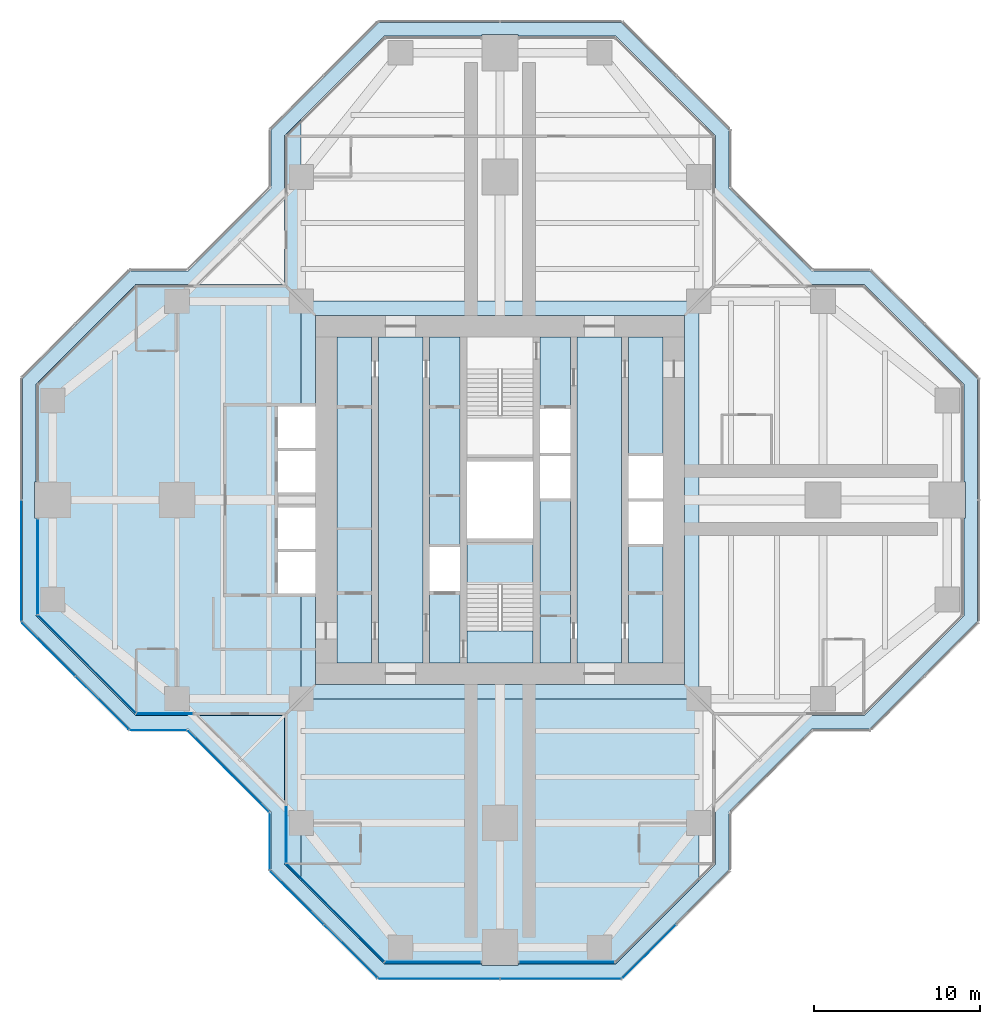
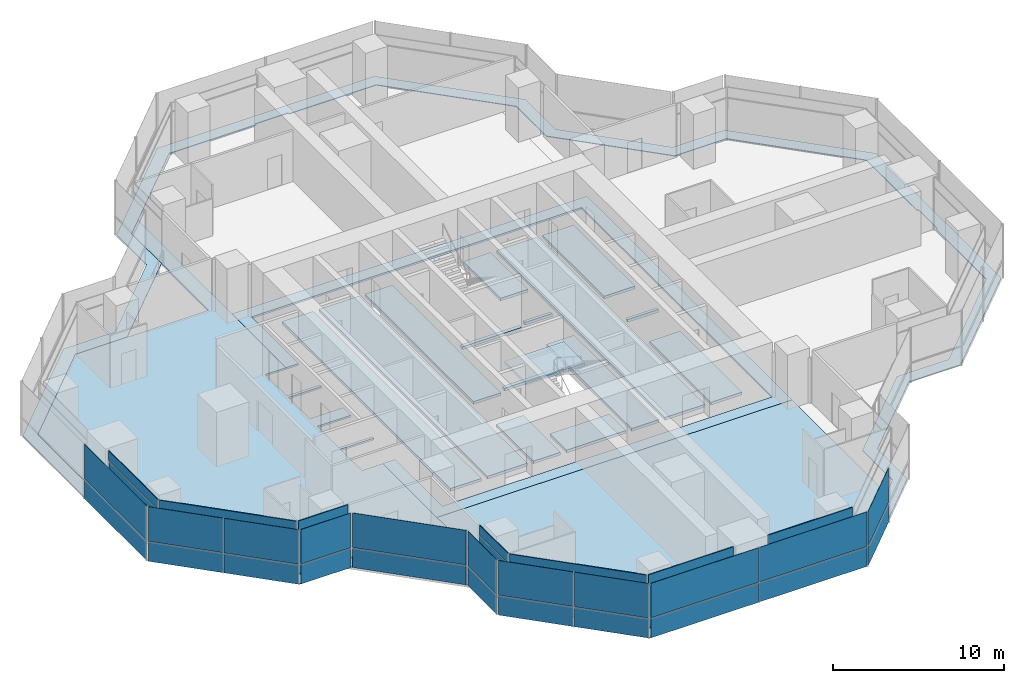
# One storey, part 10 of 17: 37 plates, 7 slabs, 16 elements without a shape of their own.
"""IFC4 building model written with IfcOpenShell, lengths in metres."""

from ifc_helpers import new_model, si_unit, direction, frame, origin, origin_2d, place, context, subcontext, project, spatial, polyline, rectangle, outline, extrude, material, layer, layer_set, type_object, element, aggregate, save


model = new_model("IFC4")

# Units and contexts
model_context = context("Model", 3, precision=1e-05, world=origin(), true_north=direction((0.0, 1.0)))
body_context = subcontext(model_context, "Body", "Model", "MODEL_VIEW")
ifc_project = project(units=[si_unit("LENGTHUNIT", "METRE"), si_unit("AREAUNIT", "SQUARE_METRE"), si_unit("VOLUMEUNIT", "CUBIC_METRE"), si_unit("PLANEANGLEUNIT", "RADIAN"), si_unit("MASSUNIT", "GRAM", prefix="KILO")], contexts=[model_context])

# Site, building, storey
site_placement = place(None, origin())
site = spatial("IfcSite", under=ifc_project, at=site_placement, CompositionType="ELEMENT")
building_placement = place(site_placement, origin())
building = spatial("IfcBuilding", under=site, at=building_placement, Name="Mizan Broadcast Tower", CompositionType="ELEMENT")
storey_placement = place(building_placement, frame((0.0, 0.0, 263.39990234375)))
storey = spatial("IfcBuildingStorey", under=building, at=storey_placement, Name="L62", CompositionType="ELEMENT", Elevation=263.39990234375)

# Plate
ifc_material_1 = material(Name="Aluminium grating", Category="aluminium")
ifc_layer_1 = layer(ifc_material_1, 0.050048828125)
ifc_layer_set_1 = layer_set([ifc_layer_1], Name="Aluminium grating")
plate_type_1 = type_object("IfcPlateType", Name="CAVITY GRATING", PredefinedType="USERDEFINED", material=ifc_layer_set_1)
plate_1_placement = place(storey_placement, frame((0.0, 0.0, -0.0498046875)))
element("IfcPlate", 1, at=plate_1_placement, inside=storey, type_object=plate_type_1, Name="Cavity grating L62", ObjectType="GRATING", PredefinedType="USERDEFINED", context=body_context, shape_type="SweptSolid", body=[
    extrude(outline(polyline([(13.820068359375, -18.839599609375), (18.839599609375, -13.820068359375), (22.339599609375, -13.820068359375), (28.820068359375, -7.339599609375), (28.820068359375, 7.339599609375), (22.339599609375, 13.820068359375), (18.839599609375, 13.820068359375), (13.820068359375, 18.839599609375), (13.820068359375, 22.339599609375), (7.339599609375, 28.820068359375), (-7.339599609375, 28.820068359375), (-13.820068359375, 22.339599609375), (-13.820068359375, 18.839599609375), (-18.839599609375, 13.820068359375), (-22.339599609375, 13.820068359375), (-28.820068359375, 7.339599609375), (-28.820068359375, -7.339599609375), (-22.339599609375, -13.820068359375), (-18.839599609375, -13.820068359375), (-13.820068359375, -18.839599609375), (-13.820068359375, -22.339599609375), (-7.339599609375, -28.820068359375), (7.339599609375, -28.820068359375), (13.820068359375, -22.339599609375), (13.820068359375, -18.839599609375)]), holes=[polyline([(28.0, -1.10009765625), (28.0, -7.0), (22.0, -13.0), (18.5, -13.0), (13.0, -18.5), (13.0, -22.0), (7.0, -28.0), (1.10009765625, -28.0), (1.10009765625, -28.10009765625), (-1.10009765625, -28.10009765625), (-1.10009765625, -28.0), (-7.0, -28.0), (-13.0, -22.0), (-13.0, -18.5), (-18.5, -13.0), (-22.0, -13.0), (-28.0, -7.0), (-28.0, -1.10009765625), (-28.10009765625, -1.10009765625), (-28.10009765625, 1.10009765625), (-28.0, 1.10009765625), (-28.0, 7.0), (-22.0, 13.0), (-18.5, 13.0), (-13.0, 18.5), (-13.0, 22.0), (-7.0, 28.0), (-1.10009765625, 28.0), (-1.10009765625, 28.10009765625), (1.10009765625, 28.10009765625), (1.10009765625, 28.0), (7.0, 28.0), (13.0, 22.0), (13.0, 18.5), (18.5, 13.0), (22.0, 13.0), (28.0, 7.0), (28.0, 1.10009765625), (28.10009765625, 1.10009765625), (28.10009765625, -1.10009765625), (28.0, -1.10009765625)])]), origin(), (0.0, 0.0, 1.0), 0.0498046875),
])

# Slabs
ifc_material_2 = material(Name="Concrete C32/40", Category="concrete")
ifc_layer_2 = layer(ifc_material_2, 0.1298828125)
ifc_layer_set_2 = layer_set([ifc_layer_2], Name="Concrete C32/40")
slab_type_1 = type_object("IfcSlabType", Name="COMPOSITE DECK SLAB 130", PredefinedType="FLOOR", material=ifc_layer_set_2)
slab_1_placement = place(storey_placement, frame((0.0, 0.0, -0.1298828125)))
element("IfcSlab", 2, at=slab_1_placement, inside=storey, type_object=slab_type_1, Name="Floor slab L62 centre", PredefinedType="FLOOR", context=body_context, shape_type="SweptSolid", body=[
    extrude(outline(polyline([(-11.14990234375, -5.64990234375), (-12.0, -5.64990234375), (-12.0, -12.0), (12.0, -12.0), (12.0, 12.0), (-12.0, 12.0), (-12.0, 5.64990234375), (-11.14990234375, 5.64990234375), (-11.14990234375, 11.14990234375), (11.14990234375, 11.14990234375), (11.14990234375, -11.14990234375), (-11.14990234375, -11.14990234375), (-11.14990234375, -5.64990234375)])), origin(), (0.0, 0.0, 1.0), 0.1298828125),
])
slab_2_placement = place(storey_placement, frame((0.0, 0.0, -0.1298828125)))
element("IfcSlab", 3, at=slab_2_placement, inside=storey, type_object=slab_type_1, Name="Floor slab L62 west arm", PredefinedType="FLOOR", context=body_context, shape_type="SweptSolid", body=[
    extrude(outline(polyline([(-22.0, 13.0), (-28.0, 7.0), (-28.0, -7.0), (-22.0, -13.0), (-13.0, -13.0), (-13.0, -22.0), (-12.0, -23.0), (-12.0, -5.64990234375), (-13.39990234375, -5.64990234375), (-13.39990234375, -3.14990234375), (-11.14990234375, -3.14990234375), (-11.14990234375, -2.949951171875), (-13.39990234375, -2.949951171875), (-13.39990234375, -0.449951171875), (-11.14990234375, -0.449951171875), (-11.14990234375, 0.449951171875), (-13.39990234375, 0.449951171875), (-13.39990234375, 2.949951171875), (-11.14990234375, 2.949951171875), (-11.14990234375, 3.14990234375), (-13.39990234375, 3.14990234375), (-13.39990234375, 5.64990234375), (-12.0, 5.64990234375), (-12.0, 23.0), (-13.0, 22.0), (-13.0, 13.0), (-22.0, 13.0)])), origin(), (0.0, 0.0, 1.0), 0.1298828125),
])
slab_3_placement = place(storey_placement, frame((0.0, 0.0, -0.1298828125)))
element("IfcSlab", 4, at=slab_3_placement, inside=storey, type_object=slab_type_1, Name="Floor slab L62 south arm", PredefinedType="FLOOR", context=body_context, shape_type="SweptSolid", body=[
    extrude(outline(polyline([(7.0, -28.0), (12.0, -23.0), (12.0, -12.0), (-12.0, -12.0), (-12.0, -23.0), (-7.0, -28.0), (7.0, -28.0)])), origin(), (0.0, 0.0, 1.0), 0.1298828125),
])
ifc_material_3 = material(Name="Concrete C40/50", Category="concrete")
ifc_layer_3 = layer(ifc_material_3, 0.199951171875)
ifc_layer_set_3 = layer_set([ifc_layer_3], Name="Concrete C40/50")
slab_type_2 = type_object("IfcSlabType", Name="CORE FLOOR 200", PredefinedType="FLOOR", material=ifc_layer_set_3)
slab_4_placement = place(storey_placement, frame((0.0, 0.0, -0.199951171875)))
element("IfcSlab", 5, at=slab_4_placement, inside=storey, type_object=slab_type_2, Name="Core floor L62", PredefinedType="FLOOR", context=body_context, shape_type="SweptSolid", body=[
    extrude(outline(polyline([(-9.85009765625, -9.85009765625), (-7.75, -9.85009765625), (-7.75, 9.85009765625), (-9.85009765625, 9.85009765625), (-9.85009765625, -9.85009765625)])), origin(), (0.0, 0.0, 1.0), 0.199951171875),
    extrude(outline(polyline([(-4.64990234375, 9.85009765625), (-7.35009765625, 9.85009765625), (-7.35009765625, -9.85009765625), (-4.64990234375, -9.85009765625), (-4.64990234375, 9.85009765625)])), origin(), (0.0, 0.0, 1.0), 0.199951171875),
    extrude(outline(polyline([(-4.25, -5.5), (-4.25, -9.85009765625), (-2.39990234375, -9.85009765625), (-2.39990234375, -5.5), (-4.25, -5.5)])), origin(), (0.0, 0.0, 1.0), 0.199951171875),
    extrude(outline(polyline([(-4.25, -2.85009765625), (-2.39990234375, -2.85009765625), (-2.39990234375, 9.85009765625), (-4.25, 9.85009765625), (-4.25, -2.85009765625)])), origin(), (0.0, 0.0, 1.0), 0.199951171875),
    extrude(outline(polyline([(2.0, -2.324951171875), (-2.0, -2.324951171875), (-2.0, -2.574951171875), (2.0, -2.574951171875), (2.0, -2.324951171875)])), origin(), (0.0, 0.0, 1.0), 0.199951171875),
    extrude(outline(polyline([(2.0, 2.574951171875), (-2.0, 2.574951171875), (-2.0, 2.324951171875), (2.0, 2.324951171875), (2.0, 2.574951171875)])), origin(), (0.0, 0.0, 1.0), 0.199951171875),
    extrude(outline(polyline([(4.25, -9.85009765625), (4.25, 0.10009765625), (2.39990234375, 0.10009765625), (2.39990234375, -9.85009765625), (4.25, -9.85009765625)])), origin(), (0.0, 0.0, 1.0), 0.199951171875),
    extrude(outline(polyline([(4.25, 2.64990234375), (4.25, 2.85009765625), (2.39990234375, 2.85009765625), (2.39990234375, 2.64990234375), (4.25, 2.64990234375)])), origin(), (0.0, 0.0, 1.0), 0.199951171875),
    extrude(outline(polyline([(4.25, 5.5), (4.25, 9.85009765625), (2.39990234375, 9.85009765625), (2.39990234375, 5.5), (4.25, 5.5)])), origin(), (0.0, 0.0, 1.0), 0.199951171875),
    extrude(outline(polyline([(4.64990234375, 9.85009765625), (4.64990234375, -9.85009765625), (7.35009765625, -9.85009765625), (7.35009765625, 9.85009765625), (4.64990234375, 9.85009765625)])), origin(), (0.0, 0.0, 1.0), 0.199951171875),
    extrude(outline(polyline([(9.85009765625, -9.85009765625), (9.85009765625, -2.64990234375), (7.75, -2.64990234375), (7.75, -9.85009765625), (9.85009765625, -9.85009765625)])), origin(), (0.0, 0.0, 1.0), 0.199951171875),
    extrude(outline(polyline([(9.85009765625, -0.10009765625), (9.85009765625, 0.10009765625), (7.75, 0.10009765625), (7.75, -0.10009765625), (9.85009765625, -0.10009765625)])), origin(), (0.0, 0.0, 1.0), 0.199951171875),
    extrude(outline(polyline([(7.75, 9.85009765625), (7.75, 2.64990234375), (9.85009765625, 2.64990234375), (9.85009765625, 9.85009765625), (7.75, 9.85009765625)])), origin(), (0.0, 0.0, 1.0), 0.199951171875),
])

# Curtain wall, plate
ifc_material_4 = material(Name="Aluminium framed glazing", Category="aluminium")
curtain_wall_type_1 = type_object("IfcCurtainWallType", Name="INNER SKIN HIGH ZONE", PredefinedType="USERDEFINED", material=ifc_material_4)
curtain_wall_1_placement = place(storey_placement, origin())
curtain_wall_1 = element("IfcCurtainWall", 6, at=curtain_wall_1_placement, inside=storey, type_object=curtain_wall_type_1, Name="Inner skin high zone L62 W end", ObjectType="INNER SKIN HIGH ZONE", PredefinedType="USERDEFINED")
ifc_material_5 = material(Name="Double glazing, clear low-e", Category="glass")
ifc_layer_4 = layer(ifc_material_5, 0.028076171875)
ifc_layer_set_4 = layer_set([ifc_layer_4], Name="Double glazing, clear low-e")
plate_type_2 = type_object("IfcPlateType", Name="INNER SKIN GLAZING UNIT", PredefinedType="CURTAIN_PANEL", material=ifc_layer_set_4)
plate_2_placement = place(storey_placement, frame((-27.89990234375, -4.029296875, 0.0), z_axis=(0.0, 0.0, 1.0), x_axis=(0.0, -1.0, 0.0)))
plate_2 = element("IfcPlate", 7, at=plate_2_placement, type_object=plate_type_2, Name="Inner skin high zone L62 W end panel 1.1", PredefinedType="CURTAIN_PANEL", context=body_context, shape_type="SweptSolid", body=[
    extrude(rectangle(XDim=5.738525390625, YDim=0.028076171875, at=origin_2d()), origin(), (0.0, 0.0, 1.0), 3.0),
])

curtain_wall_2_placement = place(storey_placement, origin())
curtain_wall_2 = element("IfcCurtainWall", 8, at=curtain_wall_2_placement, inside=storey, type_object=curtain_wall_type_1, Name="Inner skin high zone L62 W chamfer", ObjectType="INNER SKIN HIGH ZONE", PredefinedType="USERDEFINED")
plate_3_placement = place(storey_placement, frame((-24.92919921875, -9.92919921875, 0.0), z_axis=(0.0, 0.0, 1.0), x_axis=(0.707106781187, -0.707106781187, 0.0)))
plate_3 = element("IfcPlate", 9, at=plate_3_placement, type_object=plate_type_2, Name="Inner skin high zone L62 W chamfer panel 1.1", PredefinedType="CURTAIN_PANEL", context=body_context, shape_type="SweptSolid", body=[
    extrude(rectangle(XDim=8.282470703125, YDim=0.028076171875, at=origin_2d()), origin(), (0.0, 0.0, 1.0), 3.0),
])

curtain_wall_3_placement = place(storey_placement, origin())
curtain_wall_3 = element("IfcCurtainWall", 10, at=curtain_wall_3_placement, inside=storey, type_object=curtain_wall_type_1, Name="Inner skin high zone L62 W side", ObjectType="INNER SKIN HIGH ZONE", PredefinedType="USERDEFINED")
plate_4_placement = place(storey_placement, frame((-20.229248046875, -12.89990234375, 0.0), z_axis=(0.0, 0.0, 1.0), x_axis=(1.0, 0.0, 0.0)))
plate_4 = element("IfcPlate", 11, at=plate_4_placement, type_object=plate_type_2, Name="Inner skin high zone L62 W side panel 1.1", PredefinedType="CURTAIN_PANEL", context=body_context, shape_type="SweptSolid", body=[
    extrude(rectangle(XDim=3.338623046875, YDim=0.028076171875, at=origin_2d()), origin(), (0.0, 0.0, 1.0), 3.0),
])

curtain_wall_4_placement = place(storey_placement, origin())
curtain_wall_4 = element("IfcCurtainWall", 12, at=curtain_wall_4_placement, inside=storey, type_object=curtain_wall_type_1, Name="Inner skin high zone L62 S side", ObjectType="INNER SKIN HIGH ZONE", PredefinedType="USERDEFINED")
plate_5_placement = place(storey_placement, frame((-12.89990234375, -20.229248046875, 0.0), z_axis=(0.0, 0.0, 1.0), x_axis=(0.0, -1.0, 0.0)))
plate_5 = element("IfcPlate", 13, at=plate_5_placement, type_object=plate_type_2, Name="Inner skin high zone L62 S side panel 1.1", PredefinedType="CURTAIN_PANEL", context=body_context, shape_type="SweptSolid", body=[
    extrude(rectangle(XDim=3.338623046875, YDim=0.028076171875, at=origin_2d()), origin(), (0.0, 0.0, 1.0), 3.0),
])

curtain_wall_5_placement = place(storey_placement, origin())
curtain_wall_5 = element("IfcCurtainWall", 14, at=curtain_wall_5_placement, inside=storey, type_object=curtain_wall_type_1, Name="Inner skin high zone L62 S chamfer", ObjectType="INNER SKIN HIGH ZONE", PredefinedType="USERDEFINED")
plate_6_placement = place(storey_placement, frame((-9.92919921875, -24.92919921875, 0.0), z_axis=(0.0, 0.0, 1.0), x_axis=(0.707106781187, -0.707106781187, 0.0)))
plate_6 = element("IfcPlate", 15, at=plate_6_placement, type_object=plate_type_2, Name="Inner skin high zone L62 S chamfer panel 1.1", PredefinedType="CURTAIN_PANEL", context=body_context, shape_type="SweptSolid", body=[
    extrude(rectangle(XDim=8.282470703125, YDim=0.028076171875, at=origin_2d()), origin(), (0.0, 0.0, 1.0), 3.0),
])

curtain_wall_6_placement = place(storey_placement, origin())
curtain_wall_6 = element("IfcCurtainWall", 16, at=curtain_wall_6_placement, inside=storey, type_object=curtain_wall_type_1, Name="Inner skin high zone L62 S end", ObjectType="INNER SKIN HIGH ZONE", PredefinedType="USERDEFINED")
plate_7_placement = place(storey_placement, frame((-4.029296875, -27.89990234375, 0.0), z_axis=(0.0, 0.0, 1.0), x_axis=(1.0, 0.0, 0.0)))
plate_7 = element("IfcPlate", 17, at=plate_7_placement, type_object=plate_type_2, Name="Inner skin high zone L62 S end panel 1.1", PredefinedType="CURTAIN_PANEL", context=body_context, shape_type="SweptSolid", body=[
    extrude(rectangle(XDim=5.738525390625, YDim=0.028076171875, at=origin_2d()), origin(), (0.0, 0.0, 1.0), 3.0),
])

curtain_wall_7_placement = place(storey_placement, origin())
curtain_wall_7 = element("IfcCurtainWall", 18, at=curtain_wall_7_placement, inside=storey, type_object=curtain_wall_type_1, Name="Inner skin high zone L62 S end", ObjectType="INNER SKIN HIGH ZONE", PredefinedType="USERDEFINED")
plate_8_placement = place(storey_placement, frame((4.029296875, -27.89990234375, 0.0), z_axis=(0.0, 0.0, 1.0), x_axis=(1.0, 0.0, 0.0)))
plate_8 = element("IfcPlate", 19, at=plate_8_placement, type_object=plate_type_2, Name="Inner skin high zone L62 S end panel 1.1", PredefinedType="CURTAIN_PANEL", context=body_context, shape_type="SweptSolid", body=[
    extrude(rectangle(XDim=5.738525390625, YDim=0.028076171875, at=origin_2d()), origin(), (0.0, 0.0, 1.0), 3.0),
])

# Plate
ifc_material_6 = material(Name="Insulated aluminium spandrel panel, pale anodised", Category="aluminium")
ifc_layer_5 = layer(ifc_material_6, 0.050048828125)
ifc_layer_set_5 = layer_set([ifc_layer_5], Name="Insulated aluminium spandrel panel, pale anodised")
plate_type_3 = type_object("IfcPlateType", Name="INNER SKIN SPANDREL PANEL", PredefinedType="CURTAIN_PANEL", material=ifc_layer_set_5)
plate_9_placement = place(storey_placement, frame((-27.89990234375, -4.029296875, 3.06005859375), z_axis=(0.0, 0.0, 1.0), x_axis=(0.0, -1.0, 0.0)))
plate_9 = element("IfcPlate", 20, at=plate_9_placement, type_object=plate_type_3, Name="Inner skin high zone L62 W end panel 1.2", PredefinedType="CURTAIN_PANEL", context=body_context, shape_type="SweptSolid", body=[
    extrude(rectangle(XDim=5.738525390625, YDim=0.050048828125, at=origin_2d()), origin(), (0.0, 0.0, 1.0), 0.7099609375),
])

aggregate(curtain_wall_1, [plate_2, plate_9])

plate_10_placement = place(storey_placement, frame((-24.92919921875, -9.92919921875, 3.06005859375), z_axis=(0.0, 0.0, 1.0), x_axis=(0.707106781187, -0.707106781187, 0.0)))
plate_10 = element("IfcPlate", 21, at=plate_10_placement, type_object=plate_type_3, Name="Inner skin high zone L62 W chamfer panel 1.2", PredefinedType="CURTAIN_PANEL", context=body_context, shape_type="SweptSolid", body=[
    extrude(rectangle(XDim=8.282470703125, YDim=0.050048828125, at=origin_2d()), origin(), (0.0, 0.0, 1.0), 0.7099609375),
])

aggregate(curtain_wall_2, [plate_3, plate_10])

plate_11_placement = place(storey_placement, frame((-20.229248046875, -12.89990234375, 3.06005859375), z_axis=(0.0, 0.0, 1.0), x_axis=(1.0, 0.0, 0.0)))
plate_11 = element("IfcPlate", 22, at=plate_11_placement, type_object=plate_type_3, Name="Inner skin high zone L62 W side panel 1.2", PredefinedType="CURTAIN_PANEL", context=body_context, shape_type="SweptSolid", body=[
    extrude(rectangle(XDim=3.338623046875, YDim=0.050048828125, at=origin_2d()), origin(), (0.0, 0.0, 1.0), 0.7099609375),
])

aggregate(curtain_wall_3, [plate_4, plate_11])

plate_12_placement = place(storey_placement, frame((-12.89990234375, -20.229248046875, 3.06005859375), z_axis=(0.0, 0.0, 1.0), x_axis=(0.0, -1.0, 0.0)))
plate_12 = element("IfcPlate", 23, at=plate_12_placement, type_object=plate_type_3, Name="Inner skin high zone L62 S side panel 1.2", PredefinedType="CURTAIN_PANEL", context=body_context, shape_type="SweptSolid", body=[
    extrude(rectangle(XDim=3.338623046875, YDim=0.050048828125, at=origin_2d()), origin(), (0.0, 0.0, 1.0), 0.7099609375),
])

aggregate(curtain_wall_4, [plate_5, plate_12])

plate_13_placement = place(storey_placement, frame((-9.92919921875, -24.92919921875, 3.06005859375), z_axis=(0.0, 0.0, 1.0), x_axis=(0.707106781187, -0.707106781187, 0.0)))
plate_13 = element("IfcPlate", 24, at=plate_13_placement, type_object=plate_type_3, Name="Inner skin high zone L62 S chamfer panel 1.2", PredefinedType="CURTAIN_PANEL", context=body_context, shape_type="SweptSolid", body=[
    extrude(rectangle(XDim=8.282470703125, YDim=0.050048828125, at=origin_2d()), origin(), (0.0, 0.0, 1.0), 0.7099609375),
])

aggregate(curtain_wall_5, [plate_6, plate_13])

plate_14_placement = place(storey_placement, frame((-4.029296875, -27.89990234375, 3.06005859375), z_axis=(0.0, 0.0, 1.0), x_axis=(1.0, 0.0, 0.0)))
plate_14 = element("IfcPlate", 25, at=plate_14_placement, type_object=plate_type_3, Name="Inner skin high zone L62 S end panel 1.2", PredefinedType="CURTAIN_PANEL", context=body_context, shape_type="SweptSolid", body=[
    extrude(rectangle(XDim=5.738525390625, YDim=0.050048828125, at=origin_2d()), origin(), (0.0, 0.0, 1.0), 0.7099609375),
])

aggregate(curtain_wall_6, [plate_7, plate_14])

plate_15_placement = place(storey_placement, frame((4.029296875, -27.89990234375, 3.06005859375), z_axis=(0.0, 0.0, 1.0), x_axis=(1.0, 0.0, 0.0)))
plate_15 = element("IfcPlate", 26, at=plate_15_placement, type_object=plate_type_3, Name="Inner skin high zone L62 S end panel 1.2", PredefinedType="CURTAIN_PANEL", context=body_context, shape_type="SweptSolid", body=[
    extrude(rectangle(XDim=5.738525390625, YDim=0.050048828125, at=origin_2d()), origin(), (0.0, 0.0, 1.0), 0.7099609375),
])

aggregate(curtain_wall_7, [plate_8, plate_15])

# Curtain wall, plates
ifc_material_7 = material(Name="Aluminium framed glazing", Category="aluminium")
curtain_wall_type_2 = type_object("IfcCurtainWallType", Name="OUTER SKIN", PredefinedType="USERDEFINED", material=ifc_material_7)
curtain_wall_8_placement = place(storey_placement, origin())
curtain_wall_8 = element("IfcCurtainWall", 27, at=curtain_wall_8_placement, inside=storey, type_object=curtain_wall_type_2, Name="Outer skin L62 W chamfer", ObjectType="OUTER SKIN", PredefinedType="USERDEFINED")
ifc_material_8 = material(Name="Laminated clear glass", Category="glass")
ifc_layer_6 = layer(ifc_material_8, 0.02001953125)
ifc_layer_set_6 = layer_set([ifc_layer_6], Name="Laminated clear glass")
plate_type_4 = type_object("IfcPlateType", Name="OUTER SKIN CLEAR GLASS", PredefinedType="CURTAIN_PANEL", material=ifc_layer_set_6)
plate_16_placement = place(storey_placement, frame((-27.254150390625, -9.018798828125, 0.0), z_axis=(0.0, 0.0, 1.0), x_axis=(0.707106781187, -0.707106781187, 0.0)))
plate_16 = element("IfcPlate", 28, at=plate_16_placement, type_object=plate_type_4, Name="Outer skin L62 W chamfer panel 1.1", PredefinedType="CURTAIN_PANEL", context=body_context, shape_type="SweptSolid", body=[
    extrude(rectangle(XDim=4.495361328125, YDim=0.02001953125, at=origin_2d()), origin(), (0.0, 0.0, 1.0), 1.3701171875),
])
plate_17_placement = place(storey_placement, frame((-27.254150390625, -9.018798828125, 1.43017578125), z_axis=(0.0, 0.0, 1.0), x_axis=(0.707106781187, -0.707106781187, 0.0)))
plate_17 = element("IfcPlate", 29, at=plate_17_placement, type_object=plate_type_4, Name="Outer skin L62 W chamfer panel 1.2", PredefinedType="CURTAIN_PANEL", context=body_context, shape_type="SweptSolid", body=[
    extrude(rectangle(XDim=4.495361328125, YDim=0.02001953125, at=origin_2d()), origin(), (0.0, 0.0, 1.0), 2.469970703125),
])

curtain_wall_9_placement = place(storey_placement, origin())
curtain_wall_9 = element("IfcCurtainWall", 30, at=curtain_wall_9_placement, inside=storey, type_object=curtain_wall_type_2, Name="Outer skin L62 W side", ObjectType="OUTER SKIN", PredefinedType="USERDEFINED")
plate_18_placement = place(storey_placement, frame((-20.622802734375, -13.89990234375, 0.0), z_axis=(0.0, 0.0, 1.0), x_axis=(1.0, 0.0, 0.0)))
plate_18 = element("IfcPlate", 31, at=plate_18_placement, type_object=plate_type_4, Name="Outer skin L62 W side panel 1.1", PredefinedType="CURTAIN_PANEL", context=body_context, shape_type="SweptSolid", body=[
    extrude(rectangle(XDim=3.340087890625, YDim=0.02001953125, at=origin_2d()), origin(), (0.0, 0.0, 1.0), 1.3701171875),
])
plate_19_placement = place(storey_placement, frame((-20.622802734375, -13.89990234375, 1.43017578125), z_axis=(0.0, 0.0, 1.0), x_axis=(1.0, 0.0, 0.0)))
plate_19 = element("IfcPlate", 32, at=plate_19_placement, type_object=plate_type_4, Name="Outer skin L62 W side panel 1.2", PredefinedType="CURTAIN_PANEL", context=body_context, shape_type="SweptSolid", body=[
    extrude(rectangle(XDim=3.340087890625, YDim=0.02001953125, at=origin_2d()), origin(), (0.0, 0.0, 1.0), 2.469970703125),
])
aggregate(curtain_wall_9, [plate_18, plate_19])

curtain_wall_10_placement = place(storey_placement, origin())
curtain_wall_10 = element("IfcCurtainWall", 33, at=curtain_wall_10_placement, inside=storey, type_object=curtain_wall_type_2, Name="Outer skin L62 W chamfer", ObjectType="OUTER SKIN", PredefinedType="USERDEFINED")
plate_20_placement = place(storey_placement, frame((-16.386474609375, -16.386474609375, 0.0), z_axis=(0.0, 0.0, 1.0), x_axis=(0.707106781187, -0.707106781187, 0.0)))
plate_20 = element("IfcPlate", 34, at=plate_20_placement, type_object=plate_type_4, Name="Outer skin L62 W chamfer panel 1.1", PredefinedType="CURTAIN_PANEL", context=body_context, shape_type="SweptSolid", body=[
    extrude(rectangle(XDim=6.87255859375, YDim=0.02001953125, at=origin_2d()), origin(), (0.0, 0.0, 1.0), 1.3701171875),
])
plate_21_placement = place(storey_placement, frame((-16.386474609375, -16.386474609375, 1.43017578125), z_axis=(0.0, 0.0, 1.0), x_axis=(0.707106781187, -0.707106781187, 0.0)))
plate_21 = element("IfcPlate", 35, at=plate_21_placement, type_object=plate_type_4, Name="Outer skin L62 W chamfer panel 1.2", PredefinedType="CURTAIN_PANEL", context=body_context, shape_type="SweptSolid", body=[
    extrude(rectangle(XDim=6.87255859375, YDim=0.02001953125, at=origin_2d()), origin(), (0.0, 0.0, 1.0), 2.469970703125),
])
aggregate(curtain_wall_10, [plate_20, plate_21])

curtain_wall_11_placement = place(storey_placement, origin())
curtain_wall_11 = element("IfcCurtainWall", 36, at=curtain_wall_11_placement, inside=storey, type_object=curtain_wall_type_2, Name="Outer skin L62 S side", ObjectType="OUTER SKIN", PredefinedType="USERDEFINED")
plate_22_placement = place(storey_placement, frame((-13.89990234375, -20.622802734375, 0.0), z_axis=(0.0, 0.0, 1.0), x_axis=(0.0, -1.0, 0.0)))
plate_22 = element("IfcPlate", 37, at=plate_22_placement, type_object=plate_type_4, Name="Outer skin L62 S side panel 1.1", PredefinedType="CURTAIN_PANEL", context=body_context, shape_type="SweptSolid", body=[
    extrude(rectangle(XDim=3.340087890625, YDim=0.02001953125, at=origin_2d()), origin(), (0.0, 0.0, 1.0), 1.3701171875),
])
plate_23_placement = place(storey_placement, frame((-13.89990234375, -20.622802734375, 1.43017578125), z_axis=(0.0, 0.0, 1.0), x_axis=(0.0, -1.0, 0.0)))
plate_23 = element("IfcPlate", 38, at=plate_23_placement, type_object=plate_type_4, Name="Outer skin L62 S side panel 1.2", PredefinedType="CURTAIN_PANEL", context=body_context, shape_type="SweptSolid", body=[
    extrude(rectangle(XDim=3.340087890625, YDim=0.02001953125, at=origin_2d()), origin(), (0.0, 0.0, 1.0), 2.469970703125),
])
aggregate(curtain_wall_11, [plate_22, plate_23])

curtain_wall_12_placement = place(storey_placement, origin())
curtain_wall_12 = element("IfcCurtainWall", 39, at=curtain_wall_12_placement, inside=storey, type_object=curtain_wall_type_2, Name="Outer skin L62 S chamfer", ObjectType="OUTER SKIN", PredefinedType="USERDEFINED")
plate_24_placement = place(storey_placement, frame((-12.254150390625, -24.018798828125, 0.0), z_axis=(0.0, 0.0, 1.0), x_axis=(0.707106781187, -0.707106781187, 0.0)))
plate_24 = element("IfcPlate", 40, at=plate_24_placement, type_object=plate_type_4, Name="Outer skin L62 S chamfer panel 1.1", PredefinedType="CURTAIN_PANEL", context=body_context, shape_type="SweptSolid", body=[
    extrude(rectangle(XDim=4.495361328125, YDim=0.02001953125, at=origin_2d()), origin(), (0.0, 0.0, 1.0), 1.3701171875),
])
plate_25_placement = place(storey_placement, frame((-12.254150390625, -24.018798828125, 1.43017578125), z_axis=(0.0, 0.0, 1.0), x_axis=(0.707106781187, -0.707106781187, 0.0)))
plate_25 = element("IfcPlate", 41, at=plate_25_placement, type_object=plate_type_4, Name="Outer skin L62 S chamfer panel 1.2", PredefinedType="CURTAIN_PANEL", context=body_context, shape_type="SweptSolid", body=[
    extrude(rectangle(XDim=4.495361328125, YDim=0.02001953125, at=origin_2d()), origin(), (0.0, 0.0, 1.0), 2.469970703125),
])

curtain_wall_13_placement = place(storey_placement, origin())
curtain_wall_13 = element("IfcCurtainWall", 42, at=curtain_wall_13_placement, inside=storey, type_object=curtain_wall_type_2, Name="Outer skin L62 S end", ObjectType="OUTER SKIN", PredefinedType="USERDEFINED")
plate_26_placement = place(storey_placement, frame((-3.66650390625, -28.89990234375, 0.0), z_axis=(0.0, 0.0, 1.0), x_axis=(1.0, 0.0, 0.0)))
plate_26 = element("IfcPlate", 43, at=plate_26_placement, type_object=plate_type_4, Name="Outer skin L62 S end panel 1.1", PredefinedType="CURTAIN_PANEL", context=body_context, shape_type="SweptSolid", body=[
    extrude(rectangle(XDim=7.252685546875, YDim=0.02001953125, at=origin_2d()), origin(), (0.0, 0.0, 1.0), 1.3701171875),
])
plate_27_placement = place(storey_placement, frame((-3.66650390625, -28.89990234375, 1.43017578125), z_axis=(0.0, 0.0, 1.0), x_axis=(1.0, 0.0, 0.0)))
plate_27 = element("IfcPlate", 44, at=plate_27_placement, type_object=plate_type_4, Name="Outer skin L62 S end panel 1.2", PredefinedType="CURTAIN_PANEL", context=body_context, shape_type="SweptSolid", body=[
    extrude(rectangle(XDim=7.252685546875, YDim=0.02001953125, at=origin_2d()), origin(), (0.0, 0.0, 1.0), 2.469970703125),
])

curtain_wall_14_placement = place(storey_placement, origin())
curtain_wall_14 = element("IfcCurtainWall", 45, at=curtain_wall_14_placement, inside=storey, type_object=curtain_wall_type_2, Name="Outer skin L62 S chamfer", ObjectType="OUTER SKIN", PredefinedType="USERDEFINED")
plate_28_placement = place(storey_placement, frame((9.018798828125, -27.254150390625, 0.0), z_axis=(0.0, 0.0, 1.0), x_axis=(0.707106781187, 0.707106781187, 0.0)))
plate_28 = element("IfcPlate", 46, at=plate_28_placement, type_object=plate_type_4, Name="Outer skin L62 S chamfer panel 1.1", PredefinedType="CURTAIN_PANEL", context=body_context, shape_type="SweptSolid", body=[
    extrude(rectangle(XDim=4.495361328125, YDim=0.02001953125, at=origin_2d()), origin(), (0.0, 0.0, 1.0), 1.3701171875),
])
plate_29_placement = place(storey_placement, frame((9.018798828125, -27.254150390625, 1.43017578125), z_axis=(0.0, 0.0, 1.0), x_axis=(0.707106781187, 0.707106781187, 0.0)))
plate_29 = element("IfcPlate", 47, at=plate_29_placement, type_object=plate_type_4, Name="Outer skin L62 S chamfer panel 1.2", PredefinedType="CURTAIN_PANEL", context=body_context, shape_type="SweptSolid", body=[
    extrude(rectangle(XDim=4.495361328125, YDim=0.02001953125, at=origin_2d()), origin(), (0.0, 0.0, 1.0), 2.469970703125),
])
aggregate(curtain_wall_14, [plate_28, plate_29])

curtain_wall_15_placement = place(storey_placement, origin())
curtain_wall_15 = element("IfcCurtainWall", 48, at=curtain_wall_15_placement, inside=storey, type_object=curtain_wall_type_2, Name="Outer skin L62 W end", ObjectType="OUTER SKIN", PredefinedType="USERDEFINED")
ifc_material_9 = material(Name="Perforated aluminium, pale anodised", Category="aluminium")
ifc_layer_7 = layer(ifc_material_9, 0.011962890625)
ifc_layer_set_7 = layer_set([ifc_layer_7], Name="Perforated aluminium, pale anodised")
plate_type_5 = type_object("IfcPlateType", Name="OUTER SKIN PERFORATED SCREEN", PredefinedType="USERDEFINED", material=ifc_layer_set_7)
plate_30_placement = place(storey_placement, frame((-28.89990234375, -3.66650390625, 0.0), z_axis=(0.0, 0.0, 1.0), x_axis=(0.0, -1.0, 0.0)))
plate_30 = element("IfcPlate", 49, at=plate_30_placement, type_object=plate_type_5, Name="Outer skin L62 W end panel 2.1", ObjectType="SCREEN", PredefinedType="USERDEFINED", context=body_context, shape_type="SweptSolid", body=[
    extrude(rectangle(XDim=7.252685546875, YDim=0.011962890625, at=origin_2d()), origin(), (0.0, 0.0, 1.0), 1.3701171875),
])
plate_31_placement = place(storey_placement, frame((-28.89990234375, -3.66650390625, 1.43017578125), z_axis=(0.0, 0.0, 1.0), x_axis=(0.0, -1.0, 0.0)))
plate_31 = element("IfcPlate", 50, at=plate_31_placement, type_object=plate_type_5, Name="Outer skin L62 W end panel 2.2", ObjectType="SCREEN", PredefinedType="USERDEFINED", context=body_context, shape_type="SweptSolid", body=[
    extrude(rectangle(XDim=7.252685546875, YDim=0.011962890625, at=origin_2d()), origin(), (0.0, 0.0, 1.0), 2.469970703125),
])
aggregate(curtain_wall_15, [plate_30, plate_31])

# Plate
plate_32_placement = place(storey_placement, frame((-24.018798828125, -12.254150390625, 0.0), z_axis=(0.0, 0.0, 1.0), x_axis=(0.707106781187, -0.707106781187, 0.0)))
plate_32 = element("IfcPlate", 51, at=plate_32_placement, type_object=plate_type_5, Name="Outer skin L62 W chamfer panel 2.1", ObjectType="SCREEN", PredefinedType="USERDEFINED", context=body_context, shape_type="SweptSolid", body=[
    extrude(rectangle(XDim=4.495361328125, YDim=0.011962890625, at=origin_2d()), origin(), (0.0, 0.0, 1.0), 1.3701171875),
])

plate_33_placement = place(storey_placement, frame((-24.018798828125, -12.254150390625, 1.43017578125), z_axis=(0.0, 0.0, 1.0), x_axis=(0.707106781187, -0.707106781187, 0.0)))
plate_33 = element("IfcPlate", 52, at=plate_33_placement, type_object=plate_type_5, Name="Outer skin L62 W chamfer panel 2.2", ObjectType="SCREEN", PredefinedType="USERDEFINED", context=body_context, shape_type="SweptSolid", body=[
    extrude(rectangle(XDim=4.495361328125, YDim=0.011962890625, at=origin_2d()), origin(), (0.0, 0.0, 1.0), 2.469970703125),
])

aggregate(curtain_wall_8, [plate_16, plate_17, plate_32, plate_33])

plate_34_placement = place(storey_placement, frame((-9.018798828125, -27.254150390625, 0.0), z_axis=(0.0, 0.0, 1.0), x_axis=(0.707106781187, -0.707106781187, 0.0)))
plate_34 = element("IfcPlate", 53, at=plate_34_placement, type_object=plate_type_5, Name="Outer skin L62 S chamfer panel 2.1", ObjectType="SCREEN", PredefinedType="USERDEFINED", context=body_context, shape_type="SweptSolid", body=[
    extrude(rectangle(XDim=4.495361328125, YDim=0.011962890625, at=origin_2d()), origin(), (0.0, 0.0, 1.0), 1.3701171875),
])

plate_35_placement = place(storey_placement, frame((-9.018798828125, -27.254150390625, 1.43017578125), z_axis=(0.0, 0.0, 1.0), x_axis=(0.707106781187, -0.707106781187, 0.0)))
plate_35 = element("IfcPlate", 54, at=plate_35_placement, type_object=plate_type_5, Name="Outer skin L62 S chamfer panel 2.2", ObjectType="SCREEN", PredefinedType="USERDEFINED", context=body_context, shape_type="SweptSolid", body=[
    extrude(rectangle(XDim=4.495361328125, YDim=0.011962890625, at=origin_2d()), origin(), (0.0, 0.0, 1.0), 2.469970703125),
])

aggregate(curtain_wall_12, [plate_24, plate_25, plate_34, plate_35])

plate_36_placement = place(storey_placement, frame((3.66650390625, -28.89990234375, 0.0), z_axis=(0.0, 0.0, 1.0), x_axis=(1.0, 0.0, 0.0)))
plate_36 = element("IfcPlate", 55, at=plate_36_placement, type_object=plate_type_5, Name="Outer skin L62 S end panel 2.1", ObjectType="SCREEN", PredefinedType="USERDEFINED", context=body_context, shape_type="SweptSolid", body=[
    extrude(rectangle(XDim=7.252685546875, YDim=0.011962890625, at=origin_2d()), origin(), (0.0, 0.0, 1.0), 1.3701171875),
])

plate_37_placement = place(storey_placement, frame((3.66650390625, -28.89990234375, 1.43017578125), z_axis=(0.0, 0.0, 1.0), x_axis=(1.0, 0.0, 0.0)))
plate_37 = element("IfcPlate", 56, at=plate_37_placement, type_object=plate_type_5, Name="Outer skin L62 S end panel 2.2", ObjectType="SCREEN", PredefinedType="USERDEFINED", context=body_context, shape_type="SweptSolid", body=[
    extrude(rectangle(XDim=7.252685546875, YDim=0.011962890625, at=origin_2d()), origin(), (0.0, 0.0, 1.0), 2.469970703125),
])

aggregate(curtain_wall_13, [plate_26, plate_27, plate_36, plate_37])

# Stair, slabs
ifc_material_10 = material(Name="Concrete C40/50", Category="concrete")
stair_type = type_object("IfcStairType", Name="EXIT STAIR", PredefinedType="HALF_TURN_STAIR", material=ifc_material_10)
stair_placement = place(storey_placement, origin())
stair = element("IfcStair", 57, at=stair_placement, inside=storey, type_object=stair_type, Name="Stair A L62", PredefinedType="HALF_TURN_STAIR")
ifc_material_11 = material(Name="Concrete C40/50", Category="concrete")
ifc_layer_8 = layer(ifc_material_11, 0.199951171875)
ifc_layer_set_8 = layer_set([ifc_layer_8], Name="Concrete C40/50")
slab_type_3 = type_object("IfcSlabType", Name="STAIR LANDING 200", PredefinedType="LANDING", material=ifc_layer_set_8)
slab_5_placement = place(storey_placement, frame((0.0, 0.0, -0.199951171875)))
slab_5 = element("IfcSlab", 58, at=slab_5_placement, type_object=slab_type_3, Name="A landing 1", PredefinedType="LANDING", context=body_context, shape_type="SweptSolid", body=[
    extrude(outline(polyline([(-2.0, -9.85009765625), (-2.0, -7.89990234375), (2.0, -7.89990234375), (2.0, -9.85009765625), (-2.0, -9.85009765625)])), origin(), (0.0, 0.0, 1.0), 0.199951171875),
])
slab_6_placement = place(storey_placement, frame((0.0, 0.0, 1.75)))
slab_6 = element("IfcSlab", 59, at=slab_6_placement, type_object=slab_type_3, Name="A landing 2", PredefinedType="LANDING", context=body_context, shape_type="SweptSolid", body=[
    extrude(outline(polyline([(-2.0, -5.10009765625), (-2.0, -2.574951171875), (2.0, -2.574951171875), (2.0, -5.10009765625), (-2.0, -5.10009765625)])), origin(), (0.0, 0.0, 1.0), 0.2001953125),
])
aggregate(stair, [slab_5, slab_6])

# Slab
ifc_material_12 = material(Name="Concrete C32/40", Category="concrete")
ifc_layer_9 = layer(ifc_material_12, 0.1298828125)
ifc_layer_set_9 = layer_set([ifc_layer_9], Name="Concrete C32/40")
slab_type_4 = type_object("IfcSlabType", Name="WINTER GARDEN SLAB 130", PredefinedType="FLOOR", material=ifc_layer_set_9)
slab_7_placement = place(storey_placement, frame((0.0, 0.0, -0.1298828125)))
element("IfcSlab", 60, at=slab_7_placement, inside=storey, type_object=slab_type_4, Name="Winter garden slab L62 W", PredefinedType="FLOOR", context=body_context, shape_type="SweptSolid", body=[
    extrude(outline(polyline([(-13.0, -13.0), (-18.5, -13.0), (-13.0, -18.5), (-13.0, -13.0)])), origin(), (0.0, 0.0, 1.0), 0.1298828125),
])

save(model, "model.ifc")
